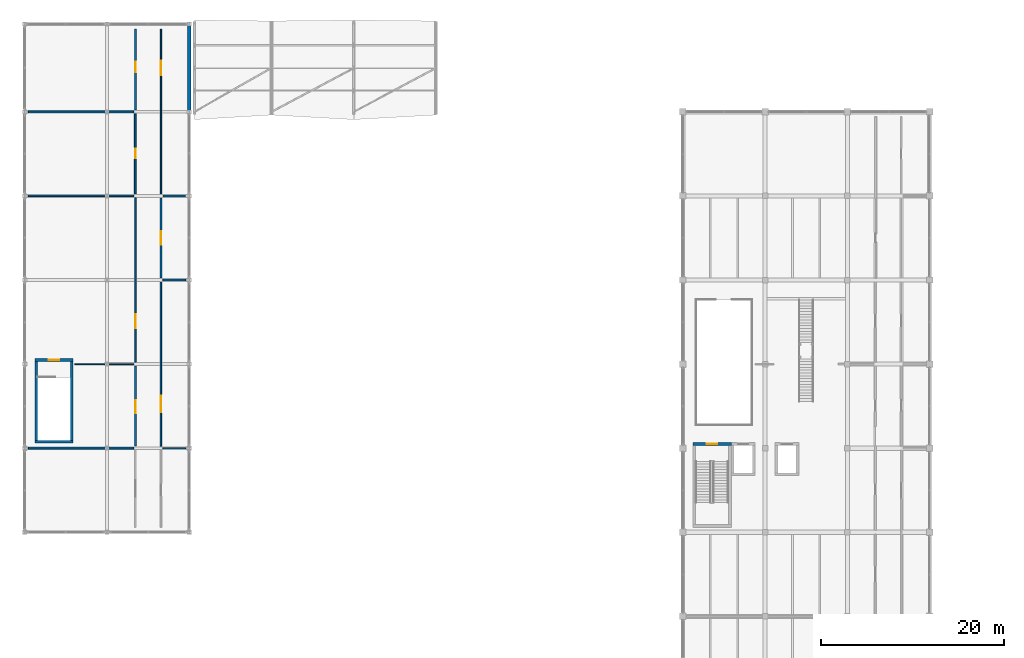
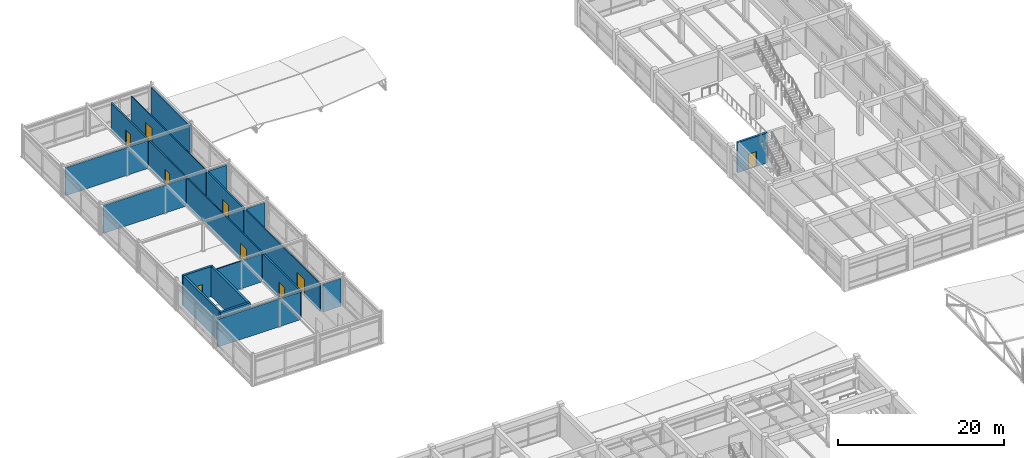
# One storey, part 73 of 90: 20 walls, 9 doors, 9 openings.
"""IFC4 building model written with IfcOpenShell, lengths in metres."""

from ifc_helpers import new_model, si_unit, direction, frame, frame_2d, origin, place, context, subcontext, project, spatial, rectangle, extrude, material, layer, layer_set, type_object, element, fill, save


model = new_model("IFC4")

# Units and contexts
model_context = context("Model", 3, precision=1e-05, world=origin(), true_north=direction((0.0, 1.0)))
body_context = subcontext(model_context, "Body", "Model", "MODEL_VIEW")
ifc_project = project(units=[si_unit("LENGTHUNIT", "METRE"), si_unit("AREAUNIT", "SQUARE_METRE"), si_unit("VOLUMEUNIT", "CUBIC_METRE"), si_unit("PLANEANGLEUNIT", "RADIAN"), si_unit("MASSUNIT", "GRAM", prefix="KILO")], contexts=[model_context])

# Site, building, storey
site_placement = place(None, origin())
site = spatial("IfcSite", under=ifc_project, at=site_placement, CompositionType="ELEMENT")
building_placement = place(site_placement, origin())
building = spatial("IfcBuilding", under=site, at=building_placement, Name="Bozkorgan Art Gallery", CompositionType="ELEMENT")
storey_placement = place(building_placement, frame((0.0, 0.0, 5.39990234375)))
storey = spatial("IfcBuildingStorey", under=building, at=storey_placement, Name="L01", CompositionType="ELEMENT", Elevation=5.39990234375)

# Wall, opening, door
ifc_material_1 = material(Name="Concrete C40/50", Category="concrete")
ifc_layer_1 = layer(ifc_material_1, 0.300048828125, Name="Concrete C40/50")
ifc_layer_set_1 = layer_set([ifc_layer_1], Name="Concrete C40/50")
wall_type_1 = type_object("IfcWallType", Name="IWALL-CW-44", PredefinedType="SHEAR", material=ifc_layer_set_1)
wall_1_placement = place(storey_placement, frame((75.10009765625, 66.449951171875, 0.0), z_axis=(0.0, 0.0, 1.0), x_axis=(1.0, 0.0, 0.0)))
wall_1 = element("IfcWall", 1, at=wall_1_placement, inside=storey, type_object=wall_type_1, Name="CORE2 L01 stair core north shear wall", PredefinedType="SHEAR", context=body_context, shape_type="SweptSolid", body=[
    extrude(rectangle(XDim=4.199951171875, YDim=0.300048828125, at=frame_2d((2.10009765625, 0.0))), origin(), (0.0, 0.0, 1.0), 4.440185546875),
])
opening_1_placement = place(wall_1_placement, frame((2.6748046875, 0.0, 0.0), z_axis=(0.0, 0.0, 1.0), x_axis=(-1.0, 0.0, 0.0)))
opening_1 = element("IfcOpeningElement", 2, at=opening_1_placement, cuts=wall_1, Name="Opening SD-41", PredefinedType="OPENING", context=body_context, shape_type="SweptSolid", body=[
    extrude(rectangle(XDim=1.14990234375, YDim=2.199951171875, at=frame_2d((0.574951171875, 1.10009765625))), frame((0.0, 0.16015625, 0.0), z_axis=(0.0, -1.0, 0.0), x_axis=(1.0, 0.0, 0.0)), (0.0, 0.0, 1.0), 0.320068359375),
])
ifc_material_2 = material(Name="Steel S355J2", Category="steel")
door_type_1 = type_object("IfcDoorType", Name="IDOOR-SD-41", OperationType="NOTDEFINED", PredefinedType="DOOR", material=ifc_material_2)
door_1_placement = place(opening_1_placement, origin())
door_1 = element("IfcDoor", 3, at=door_1_placement, inside=storey, type_object=door_type_1, Name="ST2 L01 Fire Stair Door", OperationType="SINGLE_SWING_LEFT", OverallHeight=2.199951171875, OverallWidth=1.14990234375, PredefinedType="DOOR", context=body_context, shape_type="SweptSolid", body=[
    extrude(rectangle(XDim=1.14990234375, YDim=2.199951171875, at=frame_2d((0.574951171875, 1.10009765625))), frame((0.0, 0.02490234375, 0.0), z_axis=(0.0, -1.0, 0.0), x_axis=(1.0, 0.0, 0.0)), (0.0, 0.0, 1.0), 0.050048828125),
])
fill(opening_1, door_1)

wall_2_placement = place(storey_placement, frame((3.10009765625, 75.64990234375, 0.0), z_axis=(0.0, 0.0, 1.0), x_axis=(1.0, 0.0, 0.0)))
wall_2 = element("IfcWall", 4, at=wall_2_placement, inside=storey, type_object=wall_type_1, Name="CORE5 L01 stair core north shear wall", PredefinedType="SHEAR", context=body_context, shape_type="SweptSolid", body=[
    extrude(rectangle(XDim=4.199951171875, YDim=0.300048828125, at=frame_2d((2.10009765625, 0.0))), origin(), (0.0, 0.0, 1.0), 4.440185546875),
])
opening_2_placement = place(wall_2_placement, frame((2.6748046875, 0.0, 0.0), z_axis=(0.0, 0.0, 1.0), x_axis=(-1.0, 0.0, 0.0)))
opening_2 = element("IfcOpeningElement", 5, at=opening_2_placement, cuts=wall_2, Name="Opening SD-41", PredefinedType="OPENING", context=body_context, shape_type="SweptSolid", body=[
    extrude(rectangle(XDim=1.14990234375, YDim=2.199951171875, at=frame_2d((0.574951171875, 1.10009765625))), frame((0.0, 0.16015625, 0.0), z_axis=(0.0, -1.0, 0.0), x_axis=(1.0, 0.0, 0.0)), (0.0, 0.0, 1.0), 0.320068359375),
])
door_2_placement = place(opening_2_placement, origin())
door_2 = element("IfcDoor", 6, at=door_2_placement, inside=storey, type_object=door_type_1, Name="ST5 L01 Fire Stair Door", OperationType="SINGLE_SWING_RIGHT", OverallHeight=2.199951171875, OverallWidth=1.14990234375, PredefinedType="DOOR", context=body_context, shape_type="SweptSolid", body=[
    extrude(rectangle(XDim=1.14990234375, YDim=2.199951171875, at=frame_2d((0.574951171875, 1.10009765625))), frame((0.0, 0.02490234375, 0.0), z_axis=(0.0, -1.0, 0.0), x_axis=(1.0, 0.0, 0.0)), (0.0, 0.0, 1.0), 0.050048828125),
])
fill(opening_2, door_2)

# Walls
wall_3_placement = place(storey_placement, frame((3.10009765625, 66.699951171875, 0.0), z_axis=(0.0, 0.0, 1.0), x_axis=(1.0, 0.0, 0.0)))
element("IfcWall", 7, at=wall_3_placement, inside=storey, type_object=wall_type_1, Name="CORE5 L01 stair core S shear wall", PredefinedType="SHEAR", context=body_context, shape_type="SweptSolid", body=[
    extrude(rectangle(XDim=4.199951171875, YDim=0.300048828125, at=frame_2d((2.10009765625, 0.0))), origin(), (0.0, 0.0, 1.0), 4.440185546875),
])
for number, where, z_axis, x_axis, name in (
    (8, (3.25, 66.85009765625, 0.0), (0.0, 0.0, 1.0), (0.0, 1.0, 0.0), "CORE5 L01 stair core W shear wall"),
    (9, (7.14990234375, 66.85009765625, 0.0), (0.0, 0.0, 1.0), (0.0, 1.0, 0.0), "CORE5 L01 stair core E shear wall"),
):
    element("IfcWall", number, at=place(storey_placement, frame(where, z_axis=z_axis, x_axis=x_axis)), inside=storey, type_object=wall_type_1, Name=name, PredefinedType="SHEAR", context=body_context, shape_type="SweptSolid", body=[
        extrude(rectangle(XDim=8.64990234375, YDim=0.300048828125, at=frame_2d((4.324951171875, 0.0))), origin(), (0.0, 0.0, 1.0), 4.440185546875),
    ])

# Wall, opening, door
ifc_material_3 = material(Name="Acoustic Gypsum & Mineral Wool Partition")
ifc_layer_2 = layer(ifc_material_3, 0.22998046875, Name="Acoustic Gypsum & Mineral Wool Partition")
ifc_layer_set_2 = layer_set([ifc_layer_2], Name="Acoustic Gypsum & Mineral Wool Partition")
wall_type_2 = type_object("IfcWallType", Name="IWALL-PR-08", PredefinedType="PARTITIONING", material=ifc_layer_set_2)
wall_4_placement = place(storey_placement, frame((14.10009765625, 66.219970703125, 0.0), z_axis=(0.0, 0.0, 1.0), x_axis=(0.0, 1.0, 0.0)))
wall_4 = element("IfcWall", 10, at=wall_4_placement, inside=storey, type_object=wall_type_2, Name="V2 L01 acoustic partition wall 149", PredefinedType="PARTITIONING", context=body_context, shape_type="SweptSolid", body=[
    extrude(rectangle(XDim=8.760009765625, YDim=0.22998046875, at=frame_2d((4.3798828125, 0.0))), origin(), (0.0, 0.0, 1.0), 4.09521484375),
])
opening_3_placement = place(wall_4_placement, frame((5.0498046875, 0.0, 0.0), z_axis=(0.0, 0.0, 1.0), x_axis=(-1.0, 0.0, 0.0)))
opening_3 = element("IfcOpeningElement", 11, at=opening_3_placement, cuts=wall_4, Name="Opening GD-50", PredefinedType="OPENING", context=body_context, shape_type="SweptSolid", body=[
    extrude(rectangle(XDim=1.419921875, YDim=2.300048828125, at=frame_2d((0.7099609375, 1.14990234375))), frame((0.0, 0.125, 0.0), z_axis=(0.0, -1.0, 0.0), x_axis=(1.0, 0.0, 0.0)), (0.0, 0.0, 1.0), 0.25),
])
ifc_material_4 = material(Name="Oiled European Oak Joinery")
door_type_2 = type_object("IfcDoorType", Name="IDOOR-GD-50", OperationType="NOTDEFINED", PredefinedType="DOOR", material=ifc_material_4)
door_3_placement = place(opening_3_placement, origin())
door_3 = element("IfcDoor", 12, at=door_3_placement, inside=storey, type_object=door_type_2, Name="Polychrome Majolica Gallery Door", OperationType="DOUBLE_DOOR_SINGLE_SWING", OverallHeight=2.300048828125, OverallWidth=1.419921875, PredefinedType="DOOR", context=body_context, shape_type="SweptSolid", body=[
    extrude(rectangle(XDim=1.419921875, YDim=2.300048828125, at=frame_2d((0.7099609375, 1.14990234375))), frame((0.0, 0.02490234375, 0.0), z_axis=(0.0, -1.0, 0.0), x_axis=(1.0, 0.0, 0.0)), (0.0, 0.0, 1.0), 0.050048828125),
])
fill(opening_3, door_3)

wall_5_placement = place(storey_placement, frame((14.10009765625, 103.02001953125, 0.0), z_axis=(0.0, 0.0, 1.0), x_axis=(0.0, 1.0, 0.0)))
wall_5 = element("IfcWall", 13, at=wall_5_placement, inside=storey, type_object=wall_type_2, Name="V2 L01 acoustic partition wall 155", PredefinedType="PARTITIONING", context=body_context, shape_type="SweptSolid", body=[
    extrude(rectangle(XDim=8.840087890625, YDim=0.22998046875, at=frame_2d((4.419921875, 0.0))), origin(), (0.0, 0.0, 1.0), 4.09521484375),
])
opening_4_placement = place(wall_5_placement, frame((5.2412109375, 0.0, 0.0), z_axis=(0.0, 0.0, 1.0), x_axis=(-1.0, 0.0, 0.0)))
opening_4 = element("IfcOpeningElement", 14, at=opening_4_placement, cuts=wall_5, Name="Opening FD-89", PredefinedType="OPENING", context=body_context, shape_type="SweptSolid", body=[
    extrude(rectangle(XDim=1.1201171875, YDim=2.260009765625, at=frame_2d((0.56005859375, 1.1298828125))), frame((0.0, 0.125, 0.0), z_axis=(0.0, -1.0, 0.0), x_axis=(1.0, 0.0, 0.0)), (0.0, 0.0, 1.0), 0.25),
])
door_type_3 = type_object("IfcDoorType", Name="IDOOR-FD-89", OperationType="NOTDEFINED", PredefinedType="DOOR", material=ifc_material_4)
door_4_placement = place(opening_4_placement, origin())
door_4 = element("IfcDoor", 15, at=door_4_placement, inside=storey, type_object=door_type_3, Name="Docent Preparation Room Door", OperationType="SINGLE_SWING_LEFT", OverallHeight=2.260009765625, OverallWidth=1.1201171875, PredefinedType="DOOR", context=body_context, shape_type="SweptSolid", body=[
    extrude(rectangle(XDim=1.1201171875, YDim=2.260009765625, at=frame_2d((0.56005859375, 1.1298828125))), frame((0.0, 0.02490234375, 0.0), z_axis=(0.0, -1.0, 0.0), x_axis=(1.0, 0.0, 0.0)), (0.0, 0.0, 1.0), 0.050048828125),
])
fill(opening_4, door_4)

ifc_layer_3 = layer(ifc_material_3, 0.2099609375, Name="Acoustic Gypsum & Mineral Wool Partition")
ifc_layer_set_3 = layer_set([ifc_layer_3], Name="Acoustic Gypsum & Mineral Wool Partition")
wall_type_3 = type_object("IfcWallType", Name="IWALL-PR-38", PredefinedType="PARTITIONING", material=ifc_layer_set_3)
wall_6_placement = place(storey_placement, frame((16.89990234375, 84.6201171875, 0.0), z_axis=(0.0, 0.0, 1.0), x_axis=(0.0, 1.0, 0.0)))
wall_6 = element("IfcWall", 16, at=wall_6_placement, inside=storey, type_object=wall_type_3, Name="V2 L01 acoustic partition wall 160", PredefinedType="PARTITIONING", context=body_context, shape_type="SweptSolid", body=[
    extrude(rectangle(XDim=8.759765625, YDim=0.2099609375, at=frame_2d((4.3798828125, 0.0))), origin(), (0.0, 0.0, 1.0), 4.09521484375),
])
opening_5_placement = place(wall_6_placement, frame((3.6298828125, 0.0, 0.0)))
opening_5 = element("IfcOpeningElement", 17, at=opening_5_placement, cuts=wall_6, Name="Opening GD-47", PredefinedType="OPENING", context=body_context, shape_type="SweptSolid", body=[
    extrude(rectangle(XDim=1.4599609375, YDim=2.320068359375, at=frame_2d((0.72998046875, 1.16015625))), frame((0.0, 0.114990234375, 0.0), z_axis=(0.0, -1.0, 0.0), x_axis=(1.0, 0.0, 0.0)), (0.0, 0.0, 1.0), 0.22998046875),
])
door_type_4 = type_object("IfcDoorType", Name="IDOOR-GD-47", OperationType="NOTDEFINED", PredefinedType="DOOR", material=ifc_material_4)
door_5_placement = place(opening_5_placement, origin())
door_5 = element("IfcDoor", 18, at=door_5_placement, inside=storey, type_object=door_type_4, Name="Polychrome Majolica Gallery Door", OperationType="DOUBLE_DOOR_SINGLE_SWING", OverallHeight=2.320068359375, OverallWidth=1.4599609375, PredefinedType="DOOR", context=body_context, shape_type="SweptSolid", body=[
    extrude(rectangle(XDim=1.4599609375, YDim=2.320068359375, at=frame_2d((0.72998046875, 1.16015625))), frame((0.0, 0.02490234375, 0.0), z_axis=(0.0, -1.0, 0.0), x_axis=(1.0, 0.0, 0.0)), (0.0, 0.0, 1.0), 0.050048828125),
])
fill(opening_5, door_5)

ifc_layer_4 = layer(ifc_material_3, 0.169921875, Name="Acoustic Gypsum & Mineral Wool Partition")
ifc_layer_set_4 = layer_set([ifc_layer_4], Name="Acoustic Gypsum & Mineral Wool Partition")
wall_type_4 = type_object("IfcWallType", Name="IWALL-PR-40", PredefinedType="PARTITIONING", material=ifc_layer_set_4)
wall_7_placement = place(storey_placement, frame((16.89990234375, 66.219970703125, 0.0), z_axis=(0.0, 0.0, 1.0), x_axis=(0.0, 1.0, 0.0)))
wall_7 = element("IfcWall", 19, at=wall_7_placement, inside=storey, type_object=wall_type_4, Name="V2 L01 acoustic partition wall 158", PredefinedType="PARTITIONING", context=body_context, shape_type="SweptSolid", body=[
    extrude(rectangle(XDim=17.9599609375, YDim=0.169921875, at=frame_2d((8.97998046875, 0.0))), origin(), (0.0, 0.0, 1.0), 4.09521484375),
])
opening_6_placement = place(wall_7_placement, frame((3.712890625, 0.0, 0.0)))
opening_6 = element("IfcOpeningElement", 20, at=opening_6_placement, cuts=wall_7, Name="Opening GD-31", PredefinedType="OPENING", context=body_context, shape_type="SweptSolid", body=[
    extrude(rectangle(XDim=1.820068359375, YDim=2.4599609375, at=frame_2d((0.91015625, 1.22998046875))), frame((0.0, 0.094970703125, 0.0), z_axis=(0.0, -1.0, 0.0), x_axis=(1.0, 0.0, 0.0)), (0.0, 0.0, 1.0), 0.18994140625),
])
door_type_5 = type_object("IfcDoorType", Name="IDOOR-GD-31", OperationType="NOTDEFINED", PredefinedType="DOOR", material=ifc_material_4)
door_6_placement = place(opening_6_placement, origin())
door_6 = element("IfcDoor", 21, at=door_6_placement, inside=storey, type_object=door_type_5, Name="Decorative Arts Gallery Door", OperationType="DOUBLE_DOOR_SINGLE_SWING", OverallHeight=2.4599609375, OverallWidth=1.820068359375, PredefinedType="DOOR", context=body_context, shape_type="SweptSolid", body=[
    extrude(rectangle(XDim=1.820068359375, YDim=2.4599609375, at=frame_2d((0.91015625, 1.22998046875))), frame((0.0, 0.02490234375, 0.0), z_axis=(0.0, -1.0, 0.0), x_axis=(1.0, 0.0, 0.0)), (0.0, 0.0, 1.0), 0.050048828125),
])
fill(opening_6, door_6)

ifc_layer_5 = layer(ifc_material_3, 0.14990234375, Name="Acoustic Gypsum & Mineral Wool Partition")
ifc_layer_set_5 = layer_set([ifc_layer_5], Name="Acoustic Gypsum & Mineral Wool Partition")
wall_type_5 = type_object("IfcWallType", Name="IWALL-PR-55", PredefinedType="PARTITIONING", material=ifc_layer_set_5)
wall_8_placement = place(storey_placement, frame((14.10009765625, 75.419921875, 0.0), z_axis=(0.0, 0.0, 1.0), x_axis=(0.0, 1.0, 0.0)))
wall_8 = element("IfcWall", 22, at=wall_8_placement, inside=storey, type_object=wall_type_5, Name="V2 L01 acoustic partition wall 151", PredefinedType="PARTITIONING", context=body_context, shape_type="SweptSolid", body=[
    extrude(rectangle(XDim=17.9599609375, YDim=0.14990234375, at=frame_2d((8.97998046875, 0.0))), origin(), (0.0, 0.0, 1.0), 4.09521484375),
])
opening_7_placement = place(wall_8_placement, frame((5.212890625, 0.0, 0.0), z_axis=(0.0, 0.0, 1.0), x_axis=(-1.0, 0.0, 0.0)))
opening_7 = element("IfcOpeningElement", 23, at=opening_7_placement, cuts=wall_8, Name="Opening GD-06", PredefinedType="OPENING", context=body_context, shape_type="SweptSolid", body=[
    extrude(rectangle(XDim=1.5, YDim=2.35009765625, at=frame_2d((0.75, 1.175048828125))), frame((0.0, 0.0849609375, 0.0), z_axis=(0.0, -1.0, 0.0), x_axis=(1.0, 0.0, 0.0)), (0.0, 0.0, 1.0), 0.169921875),
])
door_type_6 = type_object("IfcDoorType", Name="IDOOR-GD-06", OperationType="NOTDEFINED", PredefinedType="DOOR", material=ifc_material_4)
door_7_placement = place(opening_7_placement, origin())
door_7 = element("IfcDoor", 24, at=door_7_placement, inside=storey, type_object=door_type_6, Name="Textile Tapestry Gallery Door", OperationType="DOUBLE_DOOR_SINGLE_SWING", OverallHeight=2.35009765625, OverallWidth=1.5, PredefinedType="DOOR", context=body_context, shape_type="SweptSolid", body=[
    extrude(rectangle(XDim=1.5, YDim=2.35009765625, at=frame_2d((0.75, 1.175048828125))), frame((0.0, 0.02490234375, 0.0), z_axis=(0.0, -1.0, 0.0), x_axis=(1.0, 0.0, 0.0)), (0.0, 0.0, 1.0), 0.050048828125),
])
fill(opening_7, door_7)

ifc_layer_6 = layer(ifc_material_3, 0.18994140625, Name="Acoustic Gypsum & Mineral Wool Partition")
ifc_layer_set_6 = layer_set([ifc_layer_6], Name="Acoustic Gypsum & Mineral Wool Partition")
wall_type_6 = type_object("IfcWallType", Name="IWALL-PR-66", PredefinedType="PARTITIONING", material=ifc_layer_set_6)
wall_9_placement = place(storey_placement, frame((14.10009765625, 93.820068359375, 0.0), z_axis=(0.0, 0.0, 1.0), x_axis=(0.0, 1.0, 0.0)))
wall_9 = element("IfcWall", 25, at=wall_9_placement, inside=storey, type_object=wall_type_6, Name="V2 L01 acoustic partition wall 153", PredefinedType="PARTITIONING", context=body_context, shape_type="SweptSolid", body=[
    extrude(rectangle(XDim=8.760009765625, YDim=0.18994140625, at=frame_2d((4.3798828125, 0.0))), origin(), (0.0, 0.0, 1.0), 4.09521484375),
])
opening_8_placement = place(wall_9_placement, frame((4.919921875, 0.0, 0.0), z_axis=(0.0, 0.0, 1.0), x_axis=(-1.0, 0.0, 0.0)))
opening_8 = element("IfcOpeningElement", 26, at=opening_8_placement, cuts=wall_9, Name="Opening FD-96", PredefinedType="OPENING", context=body_context, shape_type="SweptSolid", body=[
    extrude(rectangle(XDim=1.0400390625, YDim=2.219970703125, at=frame_2d((0.52001953125, 1.10986328125))), frame((0.0, 0.10498046875, 0.0), z_axis=(0.0, -1.0, 0.0), x_axis=(1.0, 0.0, 0.0)), (0.0, 0.0, 1.0), 0.2099609375),
])
door_type_7 = type_object("IfcDoorType", Name="IDOOR-FD-96", OperationType="NOTDEFINED", PredefinedType="DOOR", material=ifc_material_4)
door_8_placement = place(opening_8_placement, origin())
door_8 = element("IfcDoor", 27, at=door_8_placement, inside=storey, type_object=door_type_7, Name="Cloister Reading Lounge Door", OperationType="SINGLE_SWING_RIGHT", OverallHeight=2.219970703125, OverallWidth=1.0400390625, PredefinedType="DOOR", context=body_context, shape_type="SweptSolid", body=[
    extrude(rectangle(XDim=1.0400390625, YDim=2.219970703125, at=frame_2d((0.52001953125, 1.10986328125))), frame((0.0, 0.02490234375, 0.0), z_axis=(0.0, -1.0, 0.0), x_axis=(1.0, 0.0, 0.0)), (0.0, 0.0, 1.0), 0.050048828125),
])
fill(opening_8, door_8)

ifc_layer_7 = layer(ifc_material_3, 0.1298828125, Name="Acoustic Gypsum & Mineral Wool Partition")
ifc_layer_set_7 = layer_set([ifc_layer_7], Name="Acoustic Gypsum & Mineral Wool Partition")
wall_type_7 = type_object("IfcWallType", Name="IWALL-PR-76", PredefinedType="PARTITIONING", material=ifc_layer_set_7)
wall_10_placement = place(storey_placement, frame((16.89990234375, 93.820068359375, 0.0), z_axis=(0.0, 0.0, 1.0), x_axis=(0.0, 1.0, 0.0)))
wall_10 = element("IfcWall", 28, at=wall_10_placement, inside=storey, type_object=wall_type_7, Name="V2 L01 acoustic partition wall 162", PredefinedType="PARTITIONING", context=body_context, shape_type="SweptSolid", body=[
    extrude(rectangle(XDim=18.0400390625, YDim=0.1298828125, at=frame_2d((9.02001953125, 0.0))), origin(), (0.0, 0.0, 1.0), 4.09521484375),
])
opening_9_placement = place(wall_10_placement, frame((13.01171875, 0.0, 0.0)))
opening_9 = element("IfcOpeningElement", 29, at=opening_9_placement, cuts=wall_10, Name="Opening GD-82", PredefinedType="OPENING", context=body_context, shape_type="SweptSolid", body=[
    extrude(rectangle(XDim=1.5400390625, YDim=2.360107421875, at=frame_2d((0.77001953125, 1.18017578125))), frame((0.0, 0.074951171875, 0.0), z_axis=(0.0, -1.0, 0.0), x_axis=(1.0, 0.0, 0.0)), (0.0, 0.0, 1.0), 0.14990234375),
])
door_type_8 = type_object("IfcDoorType", Name="IDOOR-GD-82", OperationType="NOTDEFINED", PredefinedType="DOOR", material=ifc_material_4)
door_9_placement = place(opening_9_placement, origin())
door_9 = element("IfcDoor", 30, at=door_9_placement, inside=storey, type_object=door_type_8, Name="Textile Tapestry Gallery Door", OperationType="DOUBLE_DOOR_SINGLE_SWING", OverallHeight=2.360107421875, OverallWidth=1.5400390625, PredefinedType="DOOR", context=body_context, shape_type="SweptSolid", body=[
    extrude(rectangle(XDim=1.5400390625, YDim=2.360107421875, at=frame_2d((0.77001953125, 1.18017578125))), frame((0.0, 0.02490234375, 0.0), z_axis=(0.0, -1.0, 0.0), x_axis=(1.0, 0.0, 0.0)), (0.0, 0.0, 1.0), 0.050048828125),
])
fill(opening_9, door_9)

# Walls
ifc_layer_8 = layer(ifc_material_3, 0.169921875, Name="Acoustic Gypsum & Mineral Wool Partition")
ifc_layer_set_8 = layer_set([ifc_layer_8], Name="Acoustic Gypsum & Mineral Wool Partition")
wall_type_8 = type_object("IfcWallType", Name="IWALL-PW-02", PredefinedType="PARTITIONING", material=ifc_layer_set_8)
wall_11_placement = place(storey_placement, frame((2.39990234375, 93.60009765625, 0.0), z_axis=(0.0, 0.0, 1.0), x_axis=(1.0, 0.0, 0.0)))
element("IfcWall", 31, at=wall_11_placement, inside=storey, type_object=wall_type_8, Name="V2 L01 acoustic partition wall 152", PredefinedType="PARTITIONING", context=body_context, shape_type="SweptSolid", body=[
    extrude(rectangle(XDim=11.5, YDim=0.169921875, at=frame_2d((5.75, 0.0))), origin(), (0.0, 0.0, 1.0), 4.09521484375),
])
ifc_layer_9 = layer(ifc_material_3, 0.14990234375, Name="Acoustic Gypsum & Mineral Wool Partition")
ifc_layer_set_9 = layer_set([ifc_layer_9], Name="Acoustic Gypsum & Mineral Wool Partition")
wall_type_9 = type_object("IfcWallType", Name="IWALL-PW-17", PredefinedType="PARTITIONING", material=ifc_layer_set_9)
wall_12_placement = place(storey_placement, frame((17.10009765625, 66.0, 0.0), z_axis=(0.0, 0.0, 1.0), x_axis=(1.0, 0.0, 0.0)))
element("IfcWall", 32, at=wall_12_placement, inside=storey, type_object=wall_type_9, Name="V2 L01 acoustic partition wall 157", PredefinedType="PARTITIONING", context=body_context, shape_type="SweptSolid", body=[
    extrude(rectangle(XDim=2.5, YDim=0.14990234375, at=frame_2d((1.25, 0.0))), origin(), (0.0, 0.0, 1.0), 4.09521484375),
])
ifc_layer_10 = layer(ifc_material_3, 0.18994140625, Name="Acoustic Gypsum & Mineral Wool Partition")
ifc_layer_set_10 = layer_set([ifc_layer_10], Name="Acoustic Gypsum & Mineral Wool Partition")
wall_type_10 = type_object("IfcWallType", Name="IWALL-PW-23", PredefinedType="PARTITIONING", material=ifc_layer_set_10)
wall_13_placement = place(storey_placement, frame((17.10009765625, 84.39990234375, 0.0), z_axis=(0.0, 0.0, 1.0), x_axis=(1.0, 0.0, 0.0)))
element("IfcWall", 33, at=wall_13_placement, inside=storey, type_object=wall_type_10, Name="V2 L01 acoustic partition wall 159", PredefinedType="PARTITIONING", context=body_context, shape_type="SweptSolid", body=[
    extrude(rectangle(XDim=2.5, YDim=0.18994140625, at=frame_2d((1.25, 0.0))), origin(), (0.0, 0.0, 1.0), 4.09521484375),
])
ifc_layer_11 = layer(ifc_material_3, 0.2099609375, Name="Acoustic Gypsum & Mineral Wool Partition")
ifc_layer_set_11 = layer_set([ifc_layer_11], Name="Acoustic Gypsum & Mineral Wool Partition")
wall_type_11 = type_object("IfcWallType", Name="IWALL-PW-72", PredefinedType="PARTITIONING", material=ifc_layer_set_11)
for number, where, z_axis, x_axis, name in (
    (34, (2.39990234375, 66.0, 0.0), (0.0, 0.0, 1.0), (1.0, 0.0, 0.0), "V2 L01 acoustic partition wall 148"),
    (35, (2.39990234375, 102.800048828125, 0.0), (0.0, 0.0, 1.0), (1.0, 0.0, 0.0), "V2 L01 acoustic partition wall 154"),
):
    element("IfcWall", number, at=place(storey_placement, frame(where, z_axis=z_axis, x_axis=x_axis)), inside=storey, type_object=wall_type_11, Name=name, PredefinedType="PARTITIONING", context=body_context, shape_type="SweptSolid", body=[
        extrude(rectangle(XDim=11.5, YDim=0.2099609375, at=frame_2d((5.75, 0.0))), origin(), (0.0, 0.0, 1.0), 4.09521484375),
    ])
ifc_layer_12 = layer(ifc_material_3, 0.22998046875, Name="Acoustic Gypsum & Mineral Wool Partition")
ifc_layer_set_12 = layer_set([ifc_layer_12], Name="Acoustic Gypsum & Mineral Wool Partition")
wall_type_12 = type_object("IfcWallType", Name="IWALL-PW-96", PredefinedType="PARTITIONING", material=ifc_layer_set_12)
wall_14_placement = place(storey_placement, frame((17.10009765625, 93.60009765625, 0.0), z_axis=(0.0, 0.0, 1.0), x_axis=(1.0, 0.0, 0.0)))
element("IfcWall", 36, at=wall_14_placement, inside=storey, type_object=wall_type_12, Name="V2 L01 acoustic partition wall 161", PredefinedType="PARTITIONING", context=body_context, shape_type="SweptSolid", body=[
    extrude(rectangle(XDim=2.5, YDim=0.22998046875, at=frame_2d((1.25, 0.0))), origin(), (0.0, 0.0, 1.0), 4.09521484375),
])
ifc_layer_13 = layer(ifc_material_3, 0.1298828125, Name="Acoustic Gypsum & Mineral Wool Partition")
ifc_layer_set_13 = layer_set([ifc_layer_13], Name="Acoustic Gypsum & Mineral Wool Partition")
wall_type_13 = type_object("IfcWallType", Name="IWALL-PW-97", PredefinedType="PARTITIONING", material=ifc_layer_set_13)
wall_15_placement = place(storey_placement, frame((7.4599609375, 75.199951171875, 0.0), z_axis=(0.0, 0.0, 1.0), x_axis=(1.0, 0.0, 0.0)))
element("IfcWall", 37, at=wall_15_placement, inside=storey, type_object=wall_type_13, Name="V2 L01 acoustic partition wall 150", PredefinedType="PARTITIONING", context=body_context, shape_type="SweptSolid", body=[
    extrude(rectangle(XDim=6.43994140625, YDim=0.1298828125, at=frame_2d((3.219970703125, 0.0))), origin(), (0.0, 0.0, 1.0), 4.09521484375),
])
ifc_material_5 = material(Name="Pressed Terracotta Brick Masonry", Category="masonry")
ifc_layer_14 = layer(ifc_material_5, 0.3798828125, Name="Pressed Terracotta Brick Masonry")
ifc_layer_set_14 = layer_set([ifc_layer_14], Name="Pressed Terracotta Brick Masonry")
wall_type_14 = type_object("IfcWallType", Name="WALL-WB-15", PredefinedType="STANDARD", material=ifc_layer_set_14)
wall_16_placement = place(storey_placement, frame((20.0, 102.949951171875, 0.0), z_axis=(0.0, 0.0, 1.0), x_axis=(0.0, 1.0, 0.0)))
element("IfcWall", 38, at=wall_16_placement, inside=storey, type_object=wall_type_14, Name="V2 L01 exterior facade wall 1E-16", PredefinedType="STANDARD", context=body_context, shape_type="SweptSolid", body=[
    extrude(rectangle(XDim=9.300048828125, YDim=0.3798828125, at=frame_2d((4.64990234375, 0.0))), origin(), (0.0, 0.0, 1.0), 4.09521484375),
])

save(model, "model.ifc")
